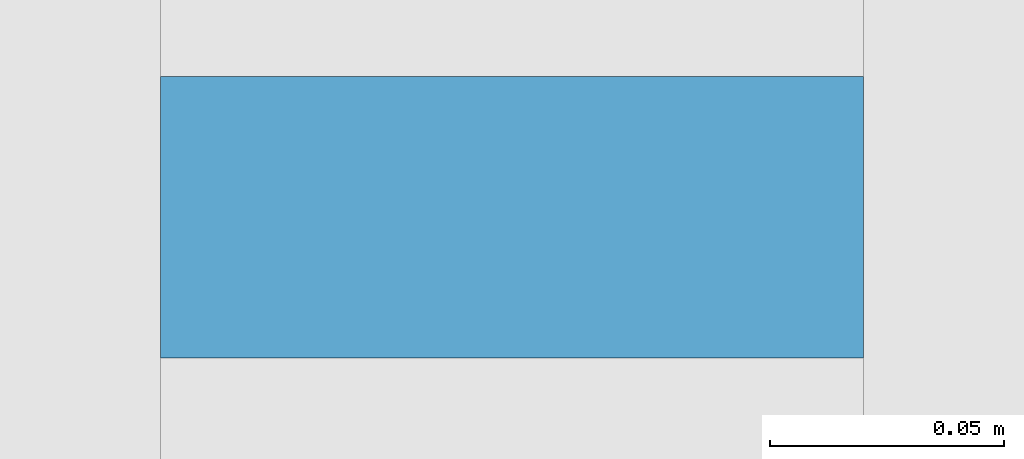
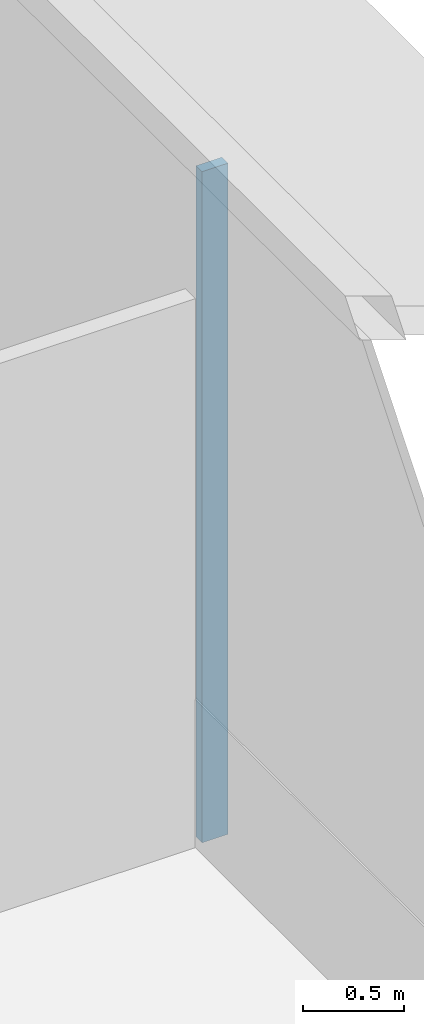
# One storey, part 13 of 22: 1 member, 1 element without a shape of its own.
"""IFC4 building model written with IfcOpenShell, lengths in metres."""

from ifc_helpers import new_model, si_unit, direction, frame, origin, origin_2d, place, context, subcontext, project, spatial, rectangle, extrude, source, transform, mapped, material, layer, layer_set, material_profile, profile_set, type_object, element, aggregate, save


model = new_model("IFC4")

# Units and contexts
model_context = context("Model", 3, precision=1e-05, world=origin(), true_north=direction((0.0, 1.0)))
body_context = subcontext(model_context, "Body", "Model", "MODEL_VIEW")
ifc_project = project(units=[si_unit("LENGTHUNIT", "METRE"), si_unit("AREAUNIT", "SQUARE_METRE"), si_unit("VOLUMEUNIT", "CUBIC_METRE"), si_unit("PLANEANGLEUNIT", "RADIAN"), si_unit("MASSUNIT", "GRAM", prefix="KILO")], contexts=[model_context])

# Site, building, storey
site_placement = place(None, origin())
site = spatial("IfcSite", under=ifc_project, at=site_placement, CompositionType="ELEMENT")
building_placement = place(site_placement, origin())
building = spatial("IfcBuilding", under=site, at=building_placement, Name="Trellis Farm Tower", CompositionType="ELEMENT")
storey_placement = place(building_placement, frame((0.0, 0.0, 52.0)))
storey = spatial("IfcBuildingStorey", under=building, at=storey_placement, Name="L10", CompositionType="ELEMENT", Elevation=52.0)

# Curtain wall, member
ifc_material_1 = material(Name="Aluminium and glass curtain wall", Category="aluminium")
ifc_layer = layer(ifc_material_1, 0.18994140625)
ifc_layer_set = layer_set([ifc_layer], Name="RIBBON CURTAIN WALL CW1")
curtain_wall_type = type_object("IfcCurtainWallType", Name="RIBBON CURTAIN WALL CW1", PredefinedType="NOTDEFINED", material=ifc_layer_set)
curtain_wall_placement = place(storey_placement, origin())
curtain_wall = element("IfcCurtainWall", 1, at=curtain_wall_placement, inside=storey, type_object=curtain_wall_type, Name="CW1 007", PredefinedType="NOTDEFINED")
ifc_material_2 = material(Name="Aluminium extrusion 6063-T6", Category="aluminium")
ifc_material_profile = material_profile(ifc_material_2, rectangle(XDim=0.06005859375, YDim=0.14990234375, at=origin_2d()), Name="MULLION 60x150")
ifc_profile_set = profile_set([ifc_material_profile], Name="Aluminium extrusion 6063-T6")
member_type = type_object("IfcMemberType", Name="CW1 MULLION 60x150", PredefinedType="MULLION", material=ifc_profile_set)
shared_shape = source(origin(), body_context, "Body", "SweptSolid", [
    extrude(rectangle(XDim=0.06005859375, YDim=0.14990234375, at=origin_2d()), origin(), (0.0, 0.0, 1.0), 4.070068359375),
])
member_placement = place(storey_placement, frame((32.425048828125, 0.0, 0.0), z_axis=(0.0, 0.0, 1.0), x_axis=(0.0, 1.0, 0.0)))
member = element("IfcMember", 2, at=member_placement, type_object=member_type, Name="MU1 007-01", PredefinedType="MULLION", context=body_context, shape_type="MappedRepresentation", body=[
    mapped(shared_shape, transform((0.0, 0.0, 0.0))),
])
aggregate(curtain_wall, [member])

save(model, "model.ifc")
